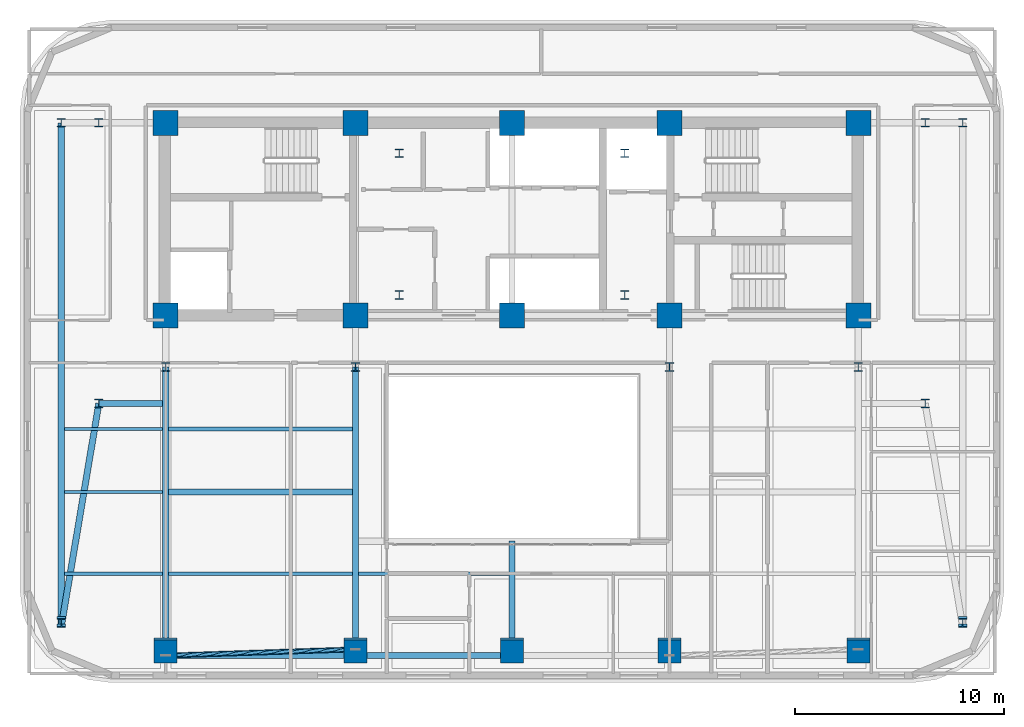
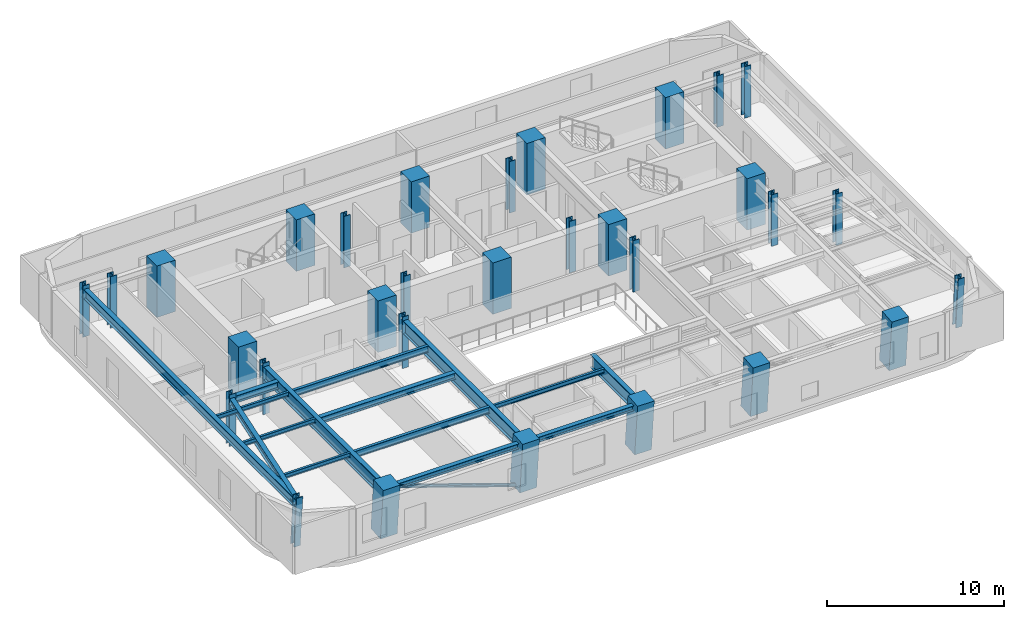
# One storey, part 1 of 12: 31 columns, 15 beams, 1 member.
"""IFC4 building model written with IfcOpenShell, lengths in metres."""

from ifc_helpers import new_model, si_unit, direction, frame, origin, origin_2d, place, context, subcontext, project, spatial, rectangle, hollow_circle, i_section, extrude, material, material_profile, profile_set, type_object, element, save


model = new_model("IFC4")

# Units and contexts
model_context = context("Model", 3, precision=1e-05, world=origin(), true_north=direction((0.0, 1.0)))
body_context = subcontext(model_context, "Body", "Model", "MODEL_VIEW")
ifc_project = project(units=[si_unit("LENGTHUNIT", "METRE"), si_unit("AREAUNIT", "SQUARE_METRE"), si_unit("VOLUMEUNIT", "CUBIC_METRE"), si_unit("PLANEANGLEUNIT", "RADIAN"), si_unit("MASSUNIT", "GRAM", prefix="KILO")], contexts=[model_context])

# Site, building, storey
site_placement = place(None, origin())
site = spatial("IfcSite", under=ifc_project, at=site_placement, CompositionType="ELEMENT")
building_placement = place(site_placement, origin())
building = spatial("IfcBuilding", under=site, at=building_placement, Name="Zarnavel Station Tower", CompositionType="ELEMENT")
storey_placement = place(building_placement, frame((0.0, 0.0, 159.0)))
storey = spatial("IfcBuildingStorey", under=building, at=storey_placement, Name="L43", CompositionType="ELEMENT", Elevation=159.0)

# Columns
ifc_material_1 = material(Name="Steel S355J2", Category="steel")
ifc_material_profile_1 = material_profile(ifc_material_1, i_section(OverallWidth=0.4130859375, OverallDepth=0.4150390625, WebThickness=0.030029296875, FlangeThickness=0.047119140625, FilletRadius=0.014892578125, at=origin_2d()), Name="HD400x347")
ifc_profile_set_1 = profile_set([ifc_material_profile_1], Name="Steel S355J2")
column_type_1 = type_object("IfcColumnType", Name="EC_HD347", PredefinedType="COLUMN", material=ifc_profile_set_1)
column_1_placement = place(storey_placement, frame((7.199951171875, 13.1806640625, 0.0), z_axis=(0.0, -0.079930493943, 0.996800439475), x_axis=(1.0, 0.0, 0.0)))
element("IfcColumn", 1, at=column_1_placement, inside=storey, type_object=column_type_1, Name="L43 Raked Wing Column 1", PredefinedType="COLUMN", context=body_context, shape_type="SweptSolid", body=[
    extrude(i_section(OverallWidth=0.4130859375, OverallDepth=0.4150390625, WebThickness=0.030029296875, FlangeThickness=0.047119140625, FilletRadius=0.014892578125, at=origin_2d()), origin(), (0.0, 0.0, 1.0), 3.5615234375),
])
column_2_placement = place(storey_placement, frame((7.199951171875, 37.050048828125, 0.0), z_axis=(0.0, 0.0, 1.0), x_axis=(1.0, 0.0, 0.0)))
element("IfcColumn", 2, at=column_2_placement, inside=storey, type_object=column_type_1, Name="L43 Outer Wing North Column 1", PredefinedType="COLUMN", context=body_context, shape_type="SweptSolid", body=[
    extrude(i_section(OverallWidth=0.4130859375, OverallDepth=0.4150390625, WebThickness=0.030029296875, FlangeThickness=0.047119140625, FilletRadius=0.014892578125, at=origin_2d()), origin(), (0.0, 0.0, 1.0), 3.550048828125),
])
column_3_placement = place(storey_placement, frame((50.39990234375, 13.1806640625, 0.0), z_axis=(0.0, -0.079930493943, 0.996800439475), x_axis=(1.0, 0.0, 0.0)))
element("IfcColumn", 3, at=column_3_placement, inside=storey, type_object=column_type_1, Name="L43 Raked Wing Column 2", PredefinedType="COLUMN", context=body_context, shape_type="SweptSolid", body=[
    extrude(i_section(OverallWidth=0.4130859375, OverallDepth=0.4150390625, WebThickness=0.030029296875, FlangeThickness=0.047119140625, FilletRadius=0.014892578125, at=origin_2d()), origin(), (0.0, 0.0, 1.0), 3.5615234375),
])
column_4_placement = place(storey_placement, frame((50.39990234375, 37.050048828125, 0.0), z_axis=(0.0, 0.0, 1.0), x_axis=(1.0, 0.0, 0.0)))
element("IfcColumn", 4, at=column_4_placement, inside=storey, type_object=column_type_1, Name="L43 Outer Wing North Column 2", PredefinedType="COLUMN", context=body_context, shape_type="SweptSolid", body=[
    extrude(i_section(OverallWidth=0.4130859375, OverallDepth=0.4150390625, WebThickness=0.030029296875, FlangeThickness=0.047119140625, FilletRadius=0.014892578125, at=origin_2d()), origin(), (0.0, 0.0, 1.0), 3.550048828125),
])
ifc_material_2 = material(Name="Steel S355J2", Category="steel")
ifc_material_profile_2 = material_profile(ifc_material_2, i_section(OverallWidth=0.4130859375, OverallDepth=0.4150390625, WebThickness=0.030029296875, FlangeThickness=0.047119140625, FilletRadius=0.014892578125, at=origin_2d()), Name="HD400x347")
ifc_profile_set_2 = profile_set([ifc_material_profile_2], Name="Steel S355J2")
column_type_2 = type_object("IfcColumnType", Name="IC_HD347", PredefinedType="COLUMN", material=ifc_profile_set_2)
for number, where, z_axis, x_axis, name in (
    (5, (23.39990234375, 28.800048828125, 0.0), (0.0, 0.0, 1.0), (1.0, 0.0, 0.0), "L43 Mast Spine Column 1"),
    (6, (34.199951171875, 28.800048828125, 0.0), (0.0, 0.0, 1.0), (1.0, 0.0, 0.0), "L43 Mast Spine Column 2"),
    (7, (34.199951171875, 35.60009765625, 0.0), (0.0, 0.0, 1.0), (1.0, 0.0, 0.0), "L43 Mast Spine Column 3"),
    (8, (23.39990234375, 35.60009765625, 0.0), (0.0, 0.0, 1.0), (1.0, 0.0, 0.0), "L43 Mast Spine Column 4"),
    (9, (12.199951171875, 25.35009765625, 0.0), (0.0, 0.0, 1.0), (1.0, 0.0, 0.0), "L43 Inner Spine Column 1"),
    (10, (21.300048828125, 25.35009765625, 0.0), (0.0, 0.0, 1.0), (1.0, 0.0, 0.0), "L43 Inner Spine Column 2"),
    (11, (36.35009765625, 25.35009765625, 0.0), (0.0, 0.0, 1.0), (1.0, 0.0, 0.0), "L43 Inner Spine Column 4"),
    (12, (45.39990234375, 25.35009765625, 0.0), (0.0, 0.0, 1.0), (1.0, 0.0, 0.0), "L43 Inner Spine Column 5"),
    (13, (9.0, 23.60009765625, 0.0), (0.0, 0.0, 1.0), (1.0, 0.0, 0.0), "L43 Inner Wing Spine Column 1-1"),
    (14, (9.0, 37.050048828125, 0.0), (0.0, 0.0, 1.0), (1.0, 0.0, 0.0), "L43 Inner Wing Spine Column 1-2"),
    (15, (48.60009765625, 23.60009765625, 0.0), (0.0, 0.0, 1.0), (1.0, 0.0, 0.0), "L43 Inner Wing Spine Column 2-1"),
    (16, (48.60009765625, 37.050048828125, 0.0), (0.0, 0.0, 1.0), (1.0, 0.0, 0.0), "L43 Inner Wing Spine Column 2-2"),
):
    element("IfcColumn", number, at=place(storey_placement, frame(where, z_axis=z_axis, x_axis=x_axis)), inside=storey, type_object=column_type_2, Name=name, PredefinedType="COLUMN", context=body_context, shape_type="SweptSolid", body=[
        extrude(i_section(OverallWidth=0.4130859375, OverallDepth=0.4150390625, WebThickness=0.030029296875, FlangeThickness=0.047119140625, FilletRadius=0.014892578125, at=origin_2d()), origin(), (0.0, 0.0, 1.0), 3.550048828125),
    ])
ifc_material_3 = material(Name="Concrete C50/60", Category="concrete")
ifc_material_profile_3 = material_profile(ifc_material_3, rectangle(XDim=1.199951171875, YDim=1.199951171875, at=origin_2d()), Name="RC1200x1200")
ifc_profile_set_3 = profile_set([ifc_material_profile_3], Name="Concrete C50/60")
column_type_3 = type_object("IfcColumnType", Name="IC_RC1200", PredefinedType="COLUMN", material=ifc_profile_set_3)
for number, where, z_axis, x_axis, name in (
    (17, (12.199951171875, 27.820068359375, 0.0), (0.0, 0.0, 1.0), (1.0, 0.0, 0.0), "L43 Core Spine Column 1-1"),
    (18, (12.199951171875, 37.050048828125, 0.0), (0.0, 0.0, 1.0), (1.0, 0.0, 0.0), "L43 Core Spine Column 1-2"),
    (19, (21.300048828125, 27.820068359375, 0.0), (0.0, 0.0, 1.0), (1.0, 0.0, 0.0), "L43 Core Spine Column 2-1"),
    (20, (21.300048828125, 37.050048828125, 0.0), (0.0, 0.0, 1.0), (1.0, 0.0, 0.0), "L43 Core Spine Column 2-2"),
    (21, (28.800048828125, 27.820068359375, 0.0), (0.0, 0.0, 1.0), (1.0, 0.0, 0.0), "L43 Core Spine Column 3-1"),
    (22, (28.800048828125, 37.050048828125, 0.0), (0.0, 0.0, 1.0), (1.0, 0.0, 0.0), "L43 Core Spine Column 3-2"),
    (23, (36.35009765625, 27.820068359375, 0.0), (0.0, 0.0, 1.0), (1.0, 0.0, 0.0), "L43 Core Spine Column 4-1"),
    (24, (36.35009765625, 37.050048828125, 0.0), (0.0, 0.0, 1.0), (1.0, 0.0, 0.0), "L43 Core Spine Column 4-2"),
    (25, (45.39990234375, 27.820068359375, 0.0), (0.0, 0.0, 1.0), (1.0, 0.0, 0.0), "L43 Core Spine Column 5-1"),
    (26, (45.39990234375, 37.050048828125, 0.0), (0.0, 0.0, 1.0), (1.0, 0.0, 0.0), "L43 Core Spine Column 5-2"),
):
    element("IfcColumn", number, at=place(storey_placement, frame(where, z_axis=z_axis, x_axis=x_axis)), inside=storey, type_object=column_type_3, Name=name, PredefinedType="COLUMN", context=body_context, shape_type="SweptSolid", body=[
        extrude(rectangle(XDim=1.199951171875, YDim=1.199951171875, at=origin_2d()), origin(), (0.0, 0.0, 1.0), 3.550048828125),
    ])
ifc_material_4 = material(Name="Concrete C50/60", Category="concrete")
ifc_material_profile_4 = material_profile(ifc_material_4, rectangle(XDim=1.10009765625, YDim=1.10009765625, at=origin_2d()), Name="RC1100x1100")
ifc_profile_set_4 = profile_set([ifc_material_profile_4], Name="Concrete C50/60")
column_type_4 = type_object("IfcColumnType", Name="MC_RC1100", PredefinedType="COLUMN", material=ifc_profile_set_4)
for number, where, z_axis, x_axis, name in (
    (27, (12.199951171875, 11.8193359375, 0.0), (0.0, -0.090202269788, 0.995923466199), (1.0, 0.0, 0.0), "L43 Raked South Mega-Column 1"),
    (28, (21.300048828125, 11.8193359375, 0.0), (0.0, -0.090202269788, 0.995923466199), (1.0, 0.0, 0.0), "L43 Raked South Mega-Column 2"),
    (29, (28.800048828125, 11.8193359375, 0.0), (0.0, -0.090202269788, 0.995923466199), (1.0, 0.0, 0.0), "L43 Raked South Mega-Column 3"),
    (30, (36.35009765625, 11.8193359375, 0.0), (0.0, -0.090202269788, 0.995923466199), (1.0, 0.0, 0.0), "L43 Raked South Mega-Column 4"),
    (31, (45.39990234375, 11.8193359375, 0.0), (0.0, -0.090202269788, 0.995923466199), (1.0, 0.0, 0.0), "L43 Raked South Mega-Column 5"),
):
    element("IfcColumn", number, at=place(storey_placement, frame(where, z_axis=z_axis, x_axis=x_axis)), inside=storey, type_object=column_type_4, Name=name, PredefinedType="COLUMN", context=body_context, shape_type="SweptSolid", body=[
        extrude(rectangle(XDim=1.10009765625, YDim=1.10009765625, at=origin_2d()), origin(), (0.0, 0.0, 1.0), 3.564697265625),
    ])

# Member
ifc_material_5 = material(Name="Steel S355J2", Category="steel")
ifc_material_profile_5 = material_profile(ifc_material_5, hollow_circle(Radius=0.122314453125, WallThickness=0.010009765625, at=origin_2d()), Name="CHS244.5x10")
ifc_profile_set_5 = profile_set([ifc_material_profile_5], Name="Steel S355J2")
member_type = type_object("IfcMemberType", Name="DB_EXT_CHS245", PredefinedType="BRACE", material=ifc_profile_set_5)
member_placement = place(storey_placement, frame((21.300048828125, 11.8193359375, 0.0), z_axis=(-0.93997940641, -0.030791298364, 0.339839096442), x_axis=(0.032739857023, -0.999463907183, 0.0)))
element("IfcMember", 32, at=member_placement, inside=storey, type_object=member_type, Name="L43 Persian Exterior Diagonal Frame Brace 1", PredefinedType="BRACE", context=body_context, shape_type="SweptSolid", body=[
    extrude(hollow_circle(Radius=0.122314453125, WallThickness=0.010009765625, at=origin_2d()), origin(), (0.0, 0.0, 1.0), 9.68115234375),
])

# Beams
ifc_material_6 = material(Name="Steel S355J2", Category="steel")
ifc_material_profile_6 = material_profile(ifc_material_6, i_section(OverallWidth=0.300048828125, OverallDepth=0.360107421875, WebThickness=0.012451171875, FlangeThickness=0.0224609375, FilletRadius=0.027099609375, at=origin_2d()), Name="HEB360")
ifc_profile_set_6 = profile_set([ifc_material_profile_6], Name="Steel S355J2")
beam_type_1 = type_object("IfcBeamType", Name="EB_HEB360", PredefinedType="SPANDREL", material=ifc_profile_set_6)
beam_1_placement = place(storey_placement, frame((12.199951171875, 11.521240234375, 3.110107421875), z_axis=(1.0, 0.0, 0.0), x_axis=(0.0, 1.0, 0.0)))
element("IfcBeam", 33, at=beam_1_placement, inside=storey, type_object=beam_type_1, Name="L43 South Raked Spandrel 1", PredefinedType="SPANDREL", context=body_context, shape_type="SweptSolid", body=[
    extrude(i_section(OverallWidth=0.300048828125, OverallDepth=0.360107421875, WebThickness=0.012451171875, FlangeThickness=0.0224609375, FilletRadius=0.027099609375, at=origin_2d()), origin(), (0.0, 0.0, 1.0), 9.10009765625),
])
beam_2_placement = place(storey_placement, frame((21.300048828125, 11.521240234375, 3.110107421875), z_axis=(1.0, 0.0, 0.0), x_axis=(0.0, 1.0, 0.0)))
element("IfcBeam", 34, at=beam_2_placement, inside=storey, type_object=beam_type_1, Name="L43 South Raked Spandrel 2", PredefinedType="SPANDREL", context=body_context, shape_type="SweptSolid", body=[
    extrude(i_section(OverallWidth=0.300048828125, OverallDepth=0.360107421875, WebThickness=0.012451171875, FlangeThickness=0.0224609375, FilletRadius=0.027099609375, at=origin_2d()), origin(), (0.0, 0.0, 1.0), 7.5),
])
ifc_material_7 = material(Name="Steel S355J2", Category="steel")
ifc_material_profile_7 = material_profile(ifc_material_7, i_section(OverallWidth=0.300048828125, OverallDepth=0.43994140625, WebThickness=0.011474609375, FlangeThickness=0.02099609375, FilletRadius=0.027099609375, at=origin_2d()), Name="HEA450")
ifc_profile_set_7 = profile_set([ifc_material_profile_7], Name="Steel S355J2")
beam_type_2 = type_object("IfcBeamType", Name="FB_HEA450", PredefinedType="BEAM", material=ifc_profile_set_7)
beam_3_placement = place(storey_placement, frame((12.344970703125, 19.360595703125, 3.070068359375), z_axis=(1.0, 0.0, 0.0), x_axis=(0.0, 1.0, 0.0)))
element("IfcBeam", 35, at=beam_3_placement, inside=storey, type_object=beam_type_2, Name="L43 West Bay Beam 2", PredefinedType="BEAM", context=body_context, shape_type="SweptSolid", body=[
    extrude(i_section(OverallWidth=0.300048828125, OverallDepth=0.43994140625, WebThickness=0.011474609375, FlangeThickness=0.02099609375, FilletRadius=0.027099609375, at=origin_2d()), origin(), (0.0, 0.0, 1.0), 8.81005859375),
])
ifc_material_8 = material(Name="Steel S355J2", Category="steel")
ifc_material_profile_8 = material_profile(ifc_material_8, i_section(OverallWidth=0.18994140625, OverallDepth=0.449951171875, WebThickness=0.009521484375, FlangeThickness=0.0146484375, FilletRadius=0.02099609375, at=origin_2d()), Name="IPE450")
ifc_profile_set_8 = profile_set([ifc_material_profile_8], Name="Steel S355J2")
beam_type_3 = type_object("IfcBeamType", Name="FB_IPE450", PredefinedType="BEAM", material=ifc_profile_set_8)
for number, where, z_axis, x_axis, name in (
    (36, (12.344970703125, 15.44091796875, 3.06494140625), (1.0, 0.0, 0.0), (0.0, 1.0, 0.0), "L43 West Bay Beam 1"),
    (37, (12.344970703125, 22.38037109375, 3.06494140625), (1.0, 0.0, 0.0), (0.0, 1.0, 0.0), "L43 West Bay Beam 3"),
):
    element("IfcBeam", number, at=place(storey_placement, frame(where, z_axis=z_axis, x_axis=x_axis)), inside=storey, type_object=beam_type_3, Name=name, PredefinedType="BEAM", context=body_context, shape_type="SweptSolid", body=[
        extrude(i_section(OverallWidth=0.18994140625, OverallDepth=0.449951171875, WebThickness=0.009521484375, FlangeThickness=0.0146484375, FilletRadius=0.02099609375, at=origin_2d()), origin(), (0.0, 0.0, 1.0), 8.81005859375),
    ])
ifc_material_9 = material(Name="Steel S355J2", Category="steel")
ifc_material_profile_9 = material_profile(ifc_material_9, i_section(OverallWidth=0.300048828125, OverallDepth=0.5, WebThickness=0.014404296875, FlangeThickness=0.028076171875, FilletRadius=0.027099609375, at=origin_2d()), Name="HEB500")
ifc_profile_set_9 = profile_set([ifc_material_profile_9], Name="Steel S355J2")
beam_type_4 = type_object("IfcBeamType", Name="FG_HEB500", PredefinedType="USERDEFINED", material=ifc_profile_set_9)
beam_4_placement = place(storey_placement, frame((7.199951171875, 12.9169921875, 3.0400390625), z_axis=(0.166152827025, 0.986100014234, 0.0), x_axis=(-0.986100014234, 0.166152827025, 0.0)))
element("IfcBeam", 38, at=beam_4_placement, inside=storey, type_object=beam_type_4, Name="L43 West Wing South Tie 1", ObjectType="GIRDER", PredefinedType="USERDEFINED", context=body_context, shape_type="SweptSolid", body=[
    extrude(i_section(OverallWidth=0.300048828125, OverallDepth=0.5, WebThickness=0.014404296875, FlangeThickness=0.028076171875, FilletRadius=0.027099609375, at=origin_2d()), origin(), (0.0, 0.0, 1.0), 10.833740234375),
])
beam_5_placement = place(storey_placement, frame((9.0, 23.60009765625, 3.0400390625), z_axis=(1.0, 0.0, 0.0), x_axis=(0.0, 1.0, 0.0)))
element("IfcBeam", 39, at=beam_5_placement, inside=storey, type_object=beam_type_4, Name="L43 West Wing South Tie 2", ObjectType="GIRDER", PredefinedType="USERDEFINED", context=body_context, shape_type="SweptSolid", body=[
    extrude(i_section(OverallWidth=0.300048828125, OverallDepth=0.5, WebThickness=0.014404296875, FlangeThickness=0.028076171875, FilletRadius=0.027099609375, at=origin_2d()), origin(), (0.0, 0.0, 1.0), 3.054931640625),
])
ifc_material_10 = material(Name="Steel S355J2", Category="steel")
ifc_material_profile_10 = material_profile(ifc_material_10, i_section(OverallWidth=0.300048828125, OverallDepth=0.64990234375, WebThickness=0.01611328125, FlangeThickness=0.031005859375, FilletRadius=0.027099609375, at=origin_2d()), Name="HEB650")
ifc_profile_set_10 = profile_set([ifc_material_profile_10], Name="Steel S355J2")
beam_type_5 = type_object("IfcBeamType", Name="FG_HEB650", PredefinedType="USERDEFINED", material=ifc_profile_set_10)
beam_6_placement = place(storey_placement, frame((7.199951171875, 12.9169921875, 2.965087890625), z_axis=(0.0, 1.0, 0.0), x_axis=(-1.0, 0.0, 0.0)))
element("IfcBeam", 40, at=beam_6_placement, inside=storey, type_object=beam_type_5, Name="L43 Wing NS Girder 1", ObjectType="GIRDER", PredefinedType="USERDEFINED", context=body_context, shape_type="SweptSolid", body=[
    extrude(i_section(OverallWidth=0.300048828125, OverallDepth=0.64990234375, WebThickness=0.01611328125, FlangeThickness=0.031005859375, FilletRadius=0.027099609375, at=origin_2d()), origin(), (0.0, 0.0, 1.0), 24.133056640625),
])
ifc_material_11 = material(Name="Steel S355J2", Category="steel")
ifc_material_profile_11 = material_profile(ifc_material_11, i_section(OverallWidth=0.14990234375, OverallDepth=0.300048828125, WebThickness=0.007080078125, FlangeThickness=0.0107421875, FilletRadius=0.014892578125, at=origin_2d()), Name="IPE300")
ifc_profile_set_11 = profile_set([ifc_material_profile_11], Name="Steel S355J2")
beam_type_6 = type_object("IfcBeamType", Name="FJ_IPE300", PredefinedType="JOIST", material=ifc_profile_set_11)
beam_7_placement = place(storey_placement, frame((21.445068359375, 15.44091796875, 3.139892578125), z_axis=(1.0, 0.0, 0.0), x_axis=(0.0, 1.0, 0.0)))
element("IfcBeam", 41, at=beam_7_placement, inside=storey, type_object=beam_type_6, Name="L43 Mid-West Joist 1", PredefinedType="JOIST", context=body_context, shape_type="SweptSolid", body=[
    extrude(i_section(OverallWidth=0.14990234375, OverallDepth=0.300048828125, WebThickness=0.007080078125, FlangeThickness=0.0107421875, FilletRadius=0.014892578125, at=origin_2d()), origin(), (0.0, 0.0, 1.0), 7.2099609375),
])
for number, where, z_axis, x_axis, name in (
    (42, (7.344970703125, 15.44091796875, 3.139892578125), (1.0, 0.0, 0.0), (0.0, 1.0, 0.0), "L43 West Wing Joist 1"),
    (43, (7.344970703125, 19.360595703125, 3.139892578125), (1.0, 0.0, 0.0), (0.0, 1.0, 0.0), "L43 West Wing Joist 2"),
    (44, (7.344970703125, 22.38037109375, 3.139892578125), (1.0, 0.0, 0.0), (0.0, 1.0, 0.0), "L43 West Wing Joist 3"),
):
    element("IfcBeam", number, at=place(storey_placement, frame(where, z_axis=z_axis, x_axis=x_axis)), inside=storey, type_object=beam_type_6, Name=name, PredefinedType="JOIST", context=body_context, shape_type="SweptSolid", body=[
        extrude(i_section(OverallWidth=0.14990234375, OverallDepth=0.300048828125, WebThickness=0.007080078125, FlangeThickness=0.0107421875, FilletRadius=0.014892578125, at=origin_2d()), origin(), (0.0, 0.0, 1.0), 4.7099609375),
    ])
ifc_material_12 = material(Name="Steel S460M", Category="steel")
ifc_material_profile_12 = material_profile(ifc_material_12, i_section(OverallWidth=0.302001953125, OverallDepth=0.909912109375, WebThickness=0.02099609375, FlangeThickness=0.0400390625, FilletRadius=0.030029296875, at=origin_2d()), Name="HEM900")
ifc_profile_set_12 = profile_set([ifc_material_profile_12], Name="Steel S460M")
beam_type_7 = type_object("IfcBeamType", Name="TG_HEM900", PredefinedType="USERDEFINED", material=ifc_profile_set_12)
for number, where, z_axis, x_axis, name in (
    (45, (12.199951171875, 11.521240234375, 2.8349609375), (0.0, 1.0, 0.0), (-1.0, 0.0, 0.0), "L43 South-Zone NS Girder 1"),
    (46, (21.300048828125, 11.521240234375, 2.8349609375), (0.0, 1.0, 0.0), (-1.0, 0.0, 0.0), "L43 South-Zone NS Girder 2"),
):
    element("IfcBeam", number, at=place(storey_placement, frame(where, z_axis=z_axis, x_axis=x_axis)), inside=storey, type_object=beam_type_7, Name=name, ObjectType="GIRDER", PredefinedType="USERDEFINED", context=body_context, shape_type="SweptSolid", body=[
        extrude(i_section(OverallWidth=0.302001953125, OverallDepth=0.909912109375, WebThickness=0.02099609375, FlangeThickness=0.0400390625, FilletRadius=0.030029296875, at=origin_2d()), origin(), (0.0, 0.0, 1.0), 13.828857421875),
    ])
beam_8_placement = place(storey_placement, frame((28.800048828125, 11.521240234375, 2.8349609375), z_axis=(0.0, 1.0, 0.0), x_axis=(-1.0, 0.0, 0.0)))
element("IfcBeam", 47, at=beam_8_placement, inside=storey, type_object=beam_type_7, Name="L43 Central Atrium-South Girder", ObjectType="GIRDER", PredefinedType="USERDEFINED", context=body_context, shape_type="SweptSolid", body=[
    extrude(i_section(OverallWidth=0.302001953125, OverallDepth=0.909912109375, WebThickness=0.02099609375, FlangeThickness=0.0400390625, FilletRadius=0.030029296875, at=origin_2d()), origin(), (0.0, 0.0, 1.0), 5.478759765625),
])

save(model, "model.ifc")
